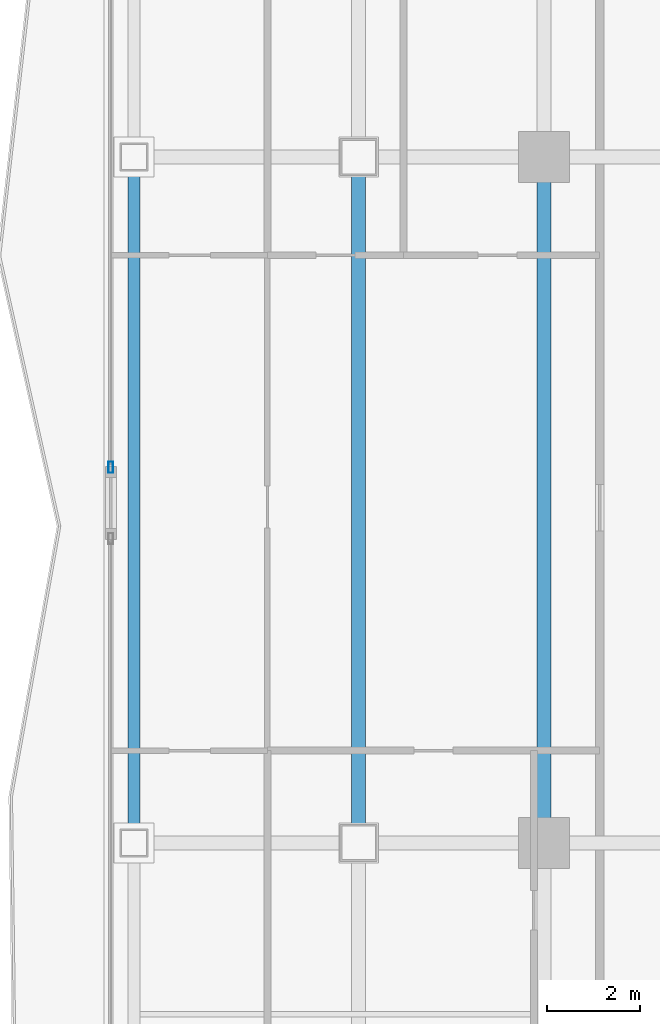
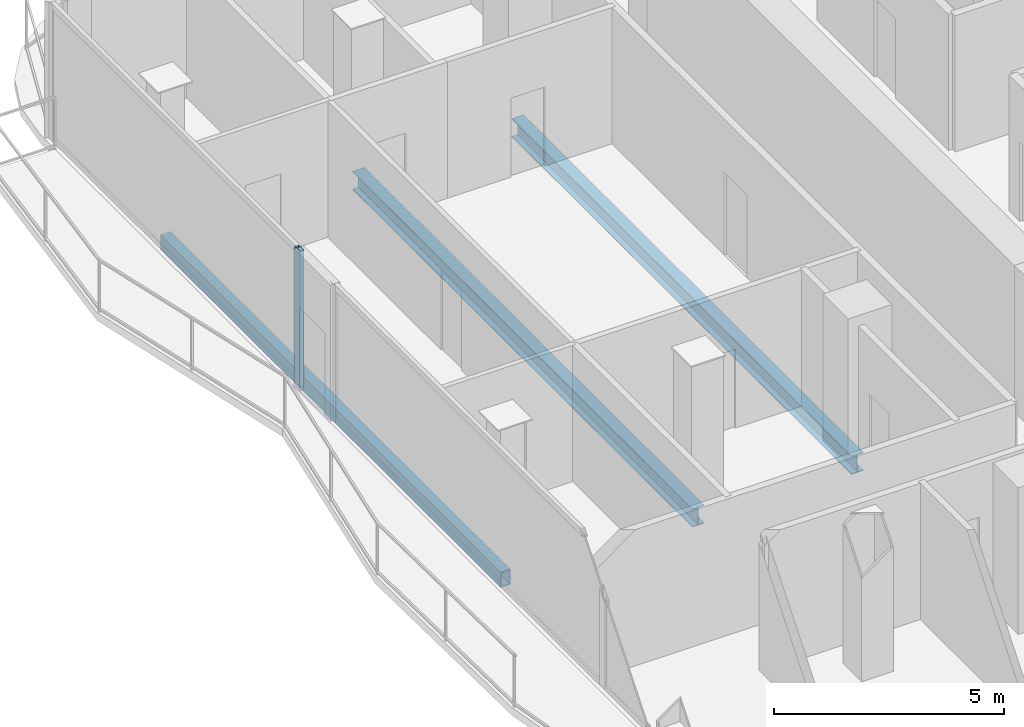
# One storey, part 6 of 24: 3 beams, 1 member, 1 element without a shape of its own.
"""IFC4 building model written with IfcOpenShell, lengths in metres."""

import ifcopenshell
import ifcopenshell.guid

model = None  # the IFC model being written
_history = None  # IfcOwnerHistory: only IFC2X3 demands one
_inside = {}  # id of a spatial element -> (the spatial element, [elements in it])
_under = {}  # id of a project, library or spatial element -> (it, [spatial elements below it])
_declared = {}  # id of a project -> (the project, [libraries it declares])
_typed = {}  # id of a type object -> (the type object, [elements of that type])
_made_of = {}  # id of a material, layer set ... -> (it, [elements and type objects made of it])


def new_model(schema):
    """Start an empty IFC model of exactly this schema.

    Asked for "IFC4X3", IfcOpenShell would pick the latest addendum, in which some entities
    have other attributes; the version numbers below select the first issue.
    IFC2X3 requires an IfcOwnerHistory on every rooted entity: one is made here for all.
    """
    global model, _history
    if schema == "IFC4X3":
        model = ifcopenshell.file(schema_version=(4, 3, 0, 0))
    else:
        model = ifcopenshell.file(schema=schema)
    _inside.clear()
    _under.clear()
    _declared.clear()
    _typed.clear()
    _made_of.clear()
    _history = None
    if model.schema == "IFC2X3":
        org = make("IfcOrganization", Name="unknown")
        user = make(
            "IfcPersonAndOrganization",
            ThePerson=make("IfcPerson", FamilyName="unknown"),
            TheOrganization=org,
        )
        app = make(
            "IfcApplication",
            ApplicationDeveloper=org,
            Version="unknown",
            ApplicationFullName="unknown",
            ApplicationIdentifier="unknown",
        )
        _history = make(
            "IfcOwnerHistory",
            OwningUser=user,
            OwningApplication=app,
            ChangeAction="ADDED",
            CreationDate=0,
        )
    return model


def make(cls, **values):
    """One entity of the class cls with the attributes given. An attribute that is None is left unset."""
    return model.create_entity(
        cls, **{name: value for name, value in values.items() if value is not None}
    )


def rooted(cls, **values):
    """An entity with a GlobalId (a new one), such as an element, a storey or a relation."""
    return make(cls, GlobalId=ifcopenshell.guid.new(), OwnerHistory=_history, **values)


def si_unit(unit_type, name, prefix=None):
    """IfcSIUnit, for example si_unit("LENGTHUNIT", "METRE", prefix="MILLI")."""
    return make("IfcSIUnit", UnitType=unit_type, Prefix=prefix, Name=name)


def assignment(units):
    """IfcUnitAssignment: the units of a project."""
    return None if units is None else make("IfcUnitAssignment", Units=units)


def point(xyz):
    """IfcCartesianPoint."""
    return None if xyz is None else make("IfcCartesianPoint", Coordinates=xyz)


def direction(xyz):
    """IfcDirection."""
    return None if xyz is None else make("IfcDirection", DirectionRatios=xyz)


def frame(location, z_axis=None, x_axis=None):
    """IfcAxis2Placement3D, a coordinate frame: its origin and axes. An axis left out is left unset."""
    return make(
        "IfcAxis2Placement3D",
        Location=point(location),
        Axis=direction(z_axis),
        RefDirection=direction(x_axis),
    )


def frame_2d(location, x_axis=None):
    """IfcAxis2Placement2D, a coordinate frame in the plane: its origin and x axis."""
    return make(
        "IfcAxis2Placement2D", Location=point(location), RefDirection=direction(x_axis)
    )


def origin():
    """The frame at (0, 0, 0) with its axes left unset."""
    return frame((0.0, 0.0, 0.0))


def origin_2d():
    """The frame at (0, 0) in the plane with its x axis left unset."""
    return frame_2d((0.0, 0.0))


def place(relative_to, where):
    """IfcLocalPlacement: puts the frame where relative to a parent placement (None: the world)."""
    return make(
        "IfcLocalPlacement", PlacementRelTo=relative_to, RelativePlacement=where
    )


def context(
    kind, dimensions, precision=None, world=None, true_north=None, identifier=None
):
    """IfcGeometricRepresentationContext, for example the 3D "Model" context."""
    return make(
        "IfcGeometricRepresentationContext",
        ContextIdentifier=identifier,
        ContextType=kind,
        CoordinateSpaceDimension=dimensions,
        Precision=precision,
        WorldCoordinateSystem=world,
        TrueNorth=true_north,
    )


def subcontext(parent, identifier, kind, view, scale=None):
    """IfcGeometricRepresentationSubContext, for example "Body" below "Model"."""
    return make(
        "IfcGeometricRepresentationSubContext",
        ContextIdentifier=identifier,
        ContextType=kind,
        ParentContext=parent,
        TargetScale=scale,
        TargetView=view,
    )


def project(units=None, contexts=None):
    """IfcProject with its units and contexts."""
    return rooted(
        "IfcProject",
        Name="project",
        RepresentationContexts=contexts,
        UnitsInContext=assignment(units),
    )


def spatial(cls, under=None, at=None, **own):
    """A site, building, storey or space (cls), placed at a placement, below another one or the project."""
    s = rooted(cls, ObjectPlacement=at, **own)
    if under is not None:
        _under.setdefault(under.id(), (under, []))[1].append(s)
    return s


def profile(cls, at=None, kind="AREA", **sizes):
    """A parametric profile (cls). Its sizes go by their IFC names, for example OverallWidth=200.0."""
    return make(cls, ProfileType=kind, Position=at, **sizes)


def hollow_rectangle(**sizes):
    """IfcRectangleHollowProfileDef."""
    return profile("IfcRectangleHollowProfileDef", **sizes)


def i_section(**sizes):
    """IfcIShapeProfileDef."""
    return profile("IfcIShapeProfileDef", **sizes)


def extrude(swept, where, along, depth):
    """IfcExtrudedAreaSolid: the profile swept, set in the frame where, extruded along a direction by depth."""
    return make(
        "IfcExtrudedAreaSolid",
        SweptArea=swept,
        Position=where,
        ExtrudedDirection=direction(along),
        Depth=depth,
    )


def shape(context_of_items, identifier, shape_type, items):
    """IfcShapeRepresentation: the items that make up one representation, for example the "Body"."""
    return make(
        "IfcShapeRepresentation",
        ContextOfItems=context_of_items,
        RepresentationIdentifier=identifier,
        RepresentationType=shape_type,
        Items=items,
    )


def material(Name=None, Category=None):
    """IfcMaterial."""
    return make("IfcMaterial", Name=Name, Category=Category)


def layer(
    of_material, thickness, ventilated=None, Name=None, Category=None, Priority=None
):
    """IfcMaterialLayer: one layer of a wall or slab, of a material (None: an air gap)."""
    return make(
        "IfcMaterialLayer",
        Material=of_material,
        LayerThickness=thickness,
        IsVentilated=ventilated,
        Name=Name,
        Category=Category,
        Priority=Priority,
    )


def layer_set(layers, Name=None):
    """IfcMaterialLayerSet."""
    return make("IfcMaterialLayerSet", MaterialLayers=layers, LayerSetName=Name)


def material_profile(
    of_material, cross_section, Name=None, Category=None, Priority=None
):
    """IfcMaterialProfile: a cross section and its material."""
    return make(
        "IfcMaterialProfile",
        Name=Name,
        Material=of_material,
        Profile=cross_section,
        Priority=Priority,
        Category=Category,
    )


def profile_set(profiles, Name=None, composite=None):
    """IfcMaterialProfileSet."""
    return make(
        "IfcMaterialProfileSet",
        Name=Name,
        MaterialProfiles=profiles,
        CompositeProfile=composite,
    )


def made_of(thing, what):
    """Note that an element or type object is made of a material, layer set ...; save() writes the relation."""
    if what is not None:
        _made_of.setdefault(what.id(), (what, []))[1].append(thing)
    return thing


def type_object(cls, material=None, **own):
    """A type object (cls), such as IfcWallType, which elements share."""
    return made_of(rooted(cls, **own), material)


def element(
    cls,
    number,
    at=None,
    inside=None,
    cuts=None,
    type_object=None,
    material=None,
    context=None,
    identifier="Body",
    shape_type=None,
    held_by="IfcProductDefinitionShape",
    body=None,
    shapes=None,
    **own,
):
    """One element of the class cls, such as IfcWall. Its Tag is "e" and its number.

    at: its placement. inside: the storey or other place that contains it. cuts: it is an
    opening in that element (IfcRelVoidsElement). A single representation is given by context,
    identifier, shape_type and body (its items); several are given by shapes. held_by: the class
    of the entity that holds the representations. save() writes the other relations.
    """
    e = rooted(cls, Tag="e%d" % number, ObjectPlacement=at, **own)
    if body is not None:
        shapes = [shape(context, identifier, shape_type, body)]
    if shapes is not None:
        e.Representation = make(held_by, Representations=shapes)
    if inside is not None:
        _inside.setdefault(inside.id(), (inside, []))[1].append(e)
    if cuts is not None:
        rooted(
            "IfcRelVoidsElement", RelatingBuildingElement=cuts, RelatedOpeningElement=e
        )
    if type_object is not None:
        _typed.setdefault(type_object.id(), (type_object, []))[1].append(e)
    return made_of(e, material)


def aggregate(whole, parts):
    """IfcRelAggregates: a whole, such as a stair, and the parts it consists of."""
    return rooted("IfcRelAggregates", RelatingObject=whole, RelatedObjects=parts)


def save(model, path):
    """Write the relations noted so far, then the file.

    IfcRelAggregates (storeys below a building ...), IfcRelContainedInSpatialStructure (elements
    in a storey), IfcRelDefinesByType, IfcRelAssociatesMaterial and IfcRelDeclares: one each for
    every whole, place, type object, material and project.
    """
    for whole, parts in _under.values():
        aggregate(whole, parts)
    for where, things in _inside.values():
        rooted(
            "IfcRelContainedInSpatialStructure",
            RelatedElements=things,
            RelatingStructure=where,
        )
    for kind, things in _typed.values():
        rooted("IfcRelDefinesByType", RelatedObjects=things, RelatingType=kind)
    for what, things in _made_of.values():
        rooted("IfcRelAssociatesMaterial", RelatedObjects=things, RelatingMaterial=what)
    for by, libraries in _declared.values():
        rooted("IfcRelDeclares", RelatingContext=by, RelatedDefinitions=libraries)
    model.write(path)


model = new_model("IFC4")

# Units and contexts
model_context = context("Model", 3, precision=1e-05, world=origin(), true_north=direction((0.0, 1.0)))
body_context = subcontext(model_context, "Body", "Model", "MODEL_VIEW")
ifc_project = project(units=[si_unit("LENGTHUNIT", "METRE"), si_unit("AREAUNIT", "SQUARE_METRE"), si_unit("VOLUMEUNIT", "CUBIC_METRE"), si_unit("PLANEANGLEUNIT", "RADIAN"), si_unit("MASSUNIT", "GRAM", prefix="KILO")], contexts=[model_context])

# Site, building, storey
site_placement = place(None, origin())
site = spatial("IfcSite", under=ifc_project, at=site_placement, CompositionType="ELEMENT")
building_placement = place(site_placement, origin())
building = spatial("IfcBuilding", under=site, at=building_placement, Name="Khorvyn Point Tower", CompositionType="ELEMENT")
storey_placement = place(building_placement, frame((0.0, 0.0, 215.699951171875)))
storey = spatial("IfcBuildingStorey", under=building, at=storey_placement, Name="L53", CompositionType="ELEMENT", Elevation=215.699951171875)

# Curtain wall, member
ifc_material_1 = material(Name="Anodised aluminium 6063-T6 and laminated Low-E glass", Category="aluminium")
ifc_layer = layer(ifc_material_1, 0.18994140625)
ifc_layer_set = layer_set([ifc_layer], Name="Stick-Built Acoustic Curtain Wall CW-SYS-03")
curtain_wall_type = type_object("IfcCurtainWallType", Name="Stick-Built Acoustic Curtain Wall CW-SYS-03", PredefinedType="NOTDEFINED", material=ifc_layer_set)
curtain_wall_placement = place(storey_placement, origin())
curtain_wall = element("IfcCurtainWall", 1, at=curtain_wall_placement, inside=storey, type_object=curtain_wall_type, Name="Curtain Wall", PredefinedType="NOTDEFINED")
ifc_material_2 = material(Name="Anodised aluminium 6063-T6", Category="aluminium")
ifc_material_profile_1 = material_profile(ifc_material_2, hollow_rectangle(XDim=0.10009765625, YDim=0.239990234375, WallThickness=0.0048828125, at=origin_2d()))
ifc_profile_set_1 = profile_set([ifc_material_profile_1], Name="Anodised aluminium 6063-T6 ALU-MUL-100x240")
member_type = type_object("IfcMemberType", Name="Anodised Aluminium 6063-T6 Mullion ALU-MUL-100x240", PredefinedType="MULLION", material=ifc_profile_set_1)
member_placement = place(storey_placement, frame((-24.14990234375, 0.70703125, 0.0), z_axis=(0.0, 0.0, 1.0), x_axis=(-1.0, 0.0, 0.0)))
member = element("IfcMember", 2, at=member_placement, type_object=member_type, Name="Transom", PredefinedType="MULLION", context=body_context, shape_type="SweptSolid", body=[
    extrude(hollow_rectangle(XDim=0.10009765625, YDim=0.239990234375, WallThickness=0.0048828125, at=origin_2d()), origin(), (0.0, 0.0, 1.0), 3.6201171875),
])
aggregate(curtain_wall, [member])

# Beams
ifc_material_3 = material(Name="Steel S355", Category="steel")
ifc_material_profile_2 = material_profile(ifc_material_3, i_section(OverallWidth=0.300048828125, OverallDepth=0.488037109375, WebThickness=0.010986328125, FlangeThickness=0.01806640625, at=origin_2d()))
ifc_profile_set_2 = profile_set([ifc_material_profile_2], Name="Steel S355 H488x300x11x18")
beam_type_1 = type_object("IfcBeamType", Name="Steel S355 Spandrel H488x300x11x18", PredefinedType="SPANDREL", material=ifc_profile_set_2)
for number, where, z_axis, x_axis, name in (
    (3, (-14.800048828125, -7.39990234375, -0.4638671875), (0.0, 1.0, 0.0), (-1.0, 0.0, 0.0), "Beam"),
    (4, (-18.800048828125, -7.39990234375, -0.4638671875), (0.0, 1.0, 0.0), (-1.0, 0.0, 0.0), "Beam"),
):
    element("IfcBeam", number, at=place(storey_placement, frame(where, z_axis=z_axis, x_axis=x_axis)), inside=storey, type_object=beam_type_1, Name=name, PredefinedType="SPANDREL", context=body_context, shape_type="SweptSolid", body=[
        extrude(i_section(OverallWidth=0.300048828125, OverallDepth=0.488037109375, WebThickness=0.010986328125, FlangeThickness=0.01806640625, at=origin_2d()), origin(), (0.0, 0.0, 1.0), 14.7998046875),
    ])
ifc_material_profile_3 = material_profile(ifc_material_3, hollow_rectangle(XDim=0.25, YDim=0.39990234375, WallThickness=0.01611328125, at=origin_2d()))
ifc_profile_set_3 = profile_set([ifc_material_profile_3], Name="Steel S355 RHS400x250x16")
beam_type_2 = type_object("IfcBeamType", Name="Steel S355 Spandrel RHS400x250x16", PredefinedType="SPANDREL", material=ifc_profile_set_3)
beam_placement = place(storey_placement, frame((-23.64990234375, -7.39990234375, -0.419921875), z_axis=(0.0, 1.0, 0.0), x_axis=(-1.0, 0.0, 0.0)))
element("IfcBeam", 5, at=beam_placement, inside=storey, type_object=beam_type_2, Name="Beam", PredefinedType="SPANDREL", context=body_context, shape_type="SweptSolid", body=[
    extrude(hollow_rectangle(XDim=0.25, YDim=0.39990234375, WallThickness=0.01611328125, at=origin_2d()), origin(), (0.0, 0.0, 1.0), 14.7998046875),
])

save(model, "model.ifc")
